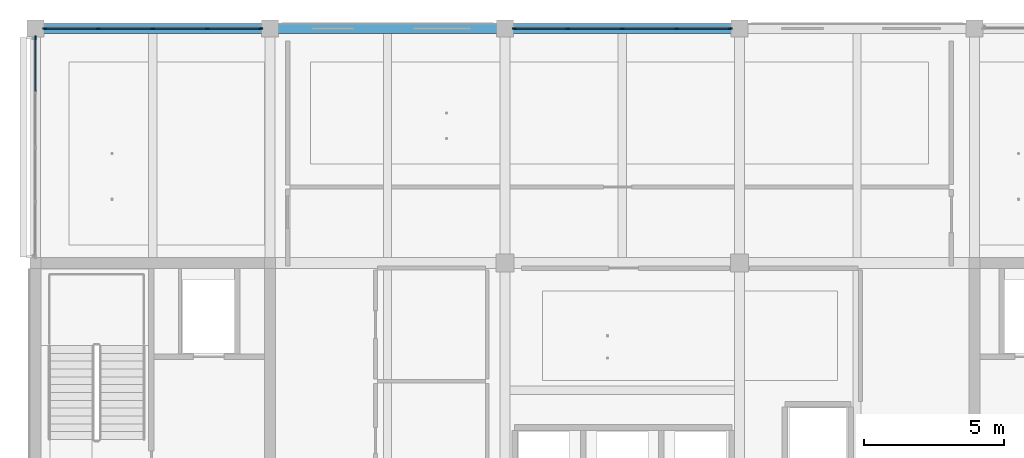
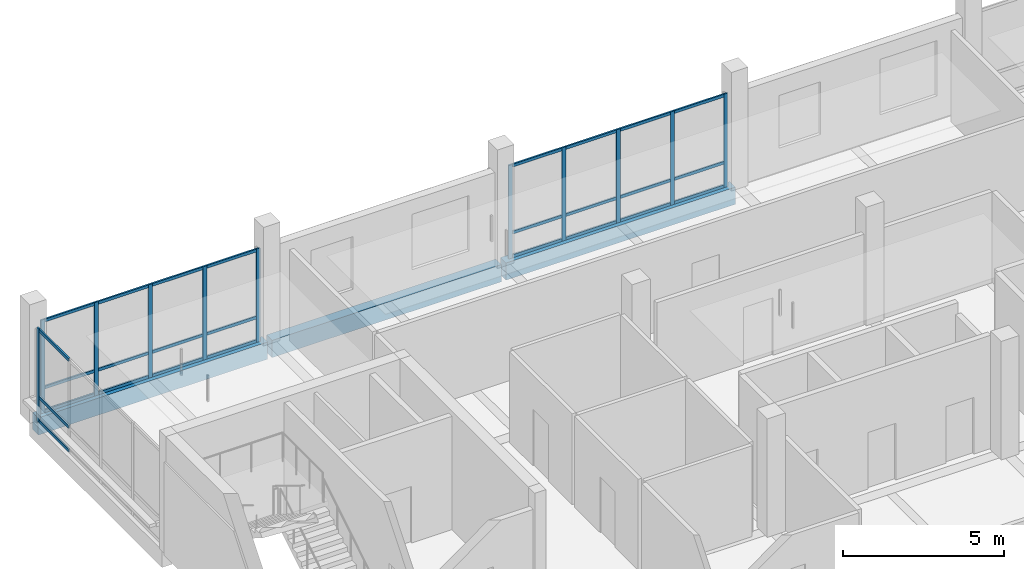
# One storey, part 8 of 29: 38 members, 3 beams, 3 elements without a shape of their own.
"""IFC4 building model written with IfcOpenShell, lengths in metres."""

from ifc_helpers import new_model, si_unit, direction, frame, origin, origin_2d, place, context, subcontext, project, spatial, rectangle, extrude, material, layer, layer_set, material_profile, profile_set, type_object, element, aggregate, save


model = new_model("IFC4")

# Units and contexts
model_context = context("Model", 3, precision=1e-05, world=origin(), true_north=direction((0.0, 1.0)))
body_context = subcontext(model_context, "Body", "Model", "MODEL_VIEW")
ifc_project = project(units=[si_unit("LENGTHUNIT", "METRE"), si_unit("AREAUNIT", "SQUARE_METRE"), si_unit("VOLUMEUNIT", "CUBIC_METRE"), si_unit("PLANEANGLEUNIT", "RADIAN"), si_unit("MASSUNIT", "GRAM", prefix="KILO")], contexts=[model_context])

# Site, building, storey
site_placement = place(None, origin())
site = spatial("IfcSite", under=ifc_project, at=site_placement, CompositionType="ELEMENT")
building_placement = place(site_placement, origin())
building = spatial("IfcBuilding", under=site, at=building_placement, Name="Telukmera Botanical Conservatory", CompositionType="ELEMENT")
storey_placement = place(building_placement, frame((0.0, 0.0, 55.5)))
storey = spatial("IfcBuildingStorey", under=building, at=storey_placement, Name="L12", CompositionType="ELEMENT", Elevation=55.5)

# Beams
ifc_material_1 = material(Name="Precast concrete C40/50", Category="concrete")
ifc_material_profile_1 = material_profile(ifc_material_1, rectangle(XDim=0.35009765625, YDim=0.64990234375, at=origin_2d()), Name="PC 350x650")
ifc_profile_set_1 = profile_set([ifc_material_profile_1], Name="Precast concrete C40/50")
beam_type = type_object("IfcBeamType", Name="Beam_SP3", PredefinedType="SPANDREL", material=ifc_profile_set_1)
beam_placement = place(storey_placement, frame((58.8798828125, 42.800048828125, -0.324951171875), z_axis=(1.0, 0.0, 0.0), x_axis=(0.0, 1.0, 0.0)))
element("IfcBeam", 1, at=beam_placement, inside=storey, type_object=beam_type, Name="Tower Grid Beam L12", PredefinedType="SPANDREL", context=body_context, shape_type="SweptSolid", body=[
    extrude(rectangle(XDim=0.35009765625, YDim=0.64990234375, at=origin_2d()), origin(), (0.0, 0.0, 1.0), 8.240234375),
])
for number, where, z_axis, x_axis, name in (
    (2, (67.280029296875, 42.800048828125, -0.324951171875), (1.0, 0.0, 0.0), (0.0, 1.0, 0.0), "Tower Grid Beam L12"),
    (3, (75.679931640625, 42.800048828125, -0.324951171875), (1.0, 0.0, 0.0), (0.0, 1.0, 0.0), "Tower Grid Beam L12"),
):
    element("IfcBeam", number, at=place(storey_placement, frame(where, z_axis=z_axis, x_axis=x_axis)), inside=storey, type_object=beam_type, Name=name, PredefinedType="SPANDREL", context=body_context, shape_type="SweptSolid", body=[
        extrude(rectangle(XDim=0.35009765625, YDim=0.64990234375, at=origin_2d()), origin(), (0.0, 0.0, 1.0), 8.239990234375),
    ])

# Curtain wall, members
ifc_material_2 = material(Name="Anodised aluminium 6063-T6", Category="aluminium")
ifc_layer = layer(ifc_material_2, 0.179931640625)
ifc_layer_set = layer_set([ifc_layer], Name="Anodised aluminium 6063-T6")
curtain_wall_type = type_object("IfcCurtainWallType", Name="Tower Research Laboratory Unitised Curtain Wall", PredefinedType="USERDEFINED", material=ifc_layer_set)
curtain_wall_1_placement = place(storey_placement, origin())
curtain_wall_1 = element("IfcCurtainWall", 4, at=curtain_wall_1_placement, inside=storey, type_object=curtain_wall_type, Name="Unitised Curtain Wall CW15 V4:L12:N1", ObjectType="UNITISED CURTAIN WALL", PredefinedType="USERDEFINED")
ifc_material_profile_2 = material_profile(ifc_material_2, rectangle(XDim=0.06005859375, YDim=0.139892578125, at=origin_2d()), Name="ALU MULL 60x140")
ifc_profile_set_2 = profile_set([ifc_material_profile_2], Name="Anodised aluminium 6063-T6")
member_type_1 = type_object("IfcMemberType", Name="Curtain Wall Extruded Mullion 60x140", PredefinedType="MULLION", material=ifc_profile_set_2)
member_1_placement = place(storey_placement, frame((59.132080078125, 42.800048828125, 0.0), z_axis=(0.0, 0.0, 1.0), x_axis=(0.0, 1.0, 0.0)))
member_1 = element("IfcMember", 5, at=member_1_placement, type_object=member_type_1, Name="CW15 mullion 1", PredefinedType="MULLION", context=body_context, shape_type="SweptSolid", body=[
    extrude(rectangle(XDim=0.06005859375, YDim=0.139892578125, at=origin_2d()), origin(), (0.0, 0.0, 1.0), 3.550048828125),
])
member_2_placement = place(storey_placement, frame((61.051025390625, 42.800048828125, 0.0), z_axis=(0.0, 0.0, 1.0), x_axis=(0.0, 1.0, 0.0)))
member_2 = element("IfcMember", 6, at=member_2_placement, type_object=member_type_1, Name="CW15 mullion 2", PredefinedType="MULLION", context=body_context, shape_type="SweptSolid", body=[
    extrude(rectangle(XDim=0.06005859375, YDim=0.139892578125, at=origin_2d()), origin(), (0.0, 0.0, 1.0), 3.550048828125),
])
member_3_placement = place(storey_placement, frame((63.0, 42.800048828125, 0.0), z_axis=(0.0, 0.0, 1.0), x_axis=(0.0, 1.0, 0.0)))
member_3 = element("IfcMember", 7, at=member_3_placement, type_object=member_type_1, Name="CW15 mullion 3", PredefinedType="MULLION", context=body_context, shape_type="SweptSolid", body=[
    extrude(rectangle(XDim=0.06005859375, YDim=0.139892578125, at=origin_2d()), origin(), (0.0, 0.0, 1.0), 3.550048828125),
])
member_4_placement = place(storey_placement, frame((64.948974609375, 42.800048828125, 0.0), z_axis=(0.0, 0.0, 1.0), x_axis=(0.0, 1.0, 0.0)))
member_4 = element("IfcMember", 8, at=member_4_placement, type_object=member_type_1, Name="CW15 mullion 4", PredefinedType="MULLION", context=body_context, shape_type="SweptSolid", body=[
    extrude(rectangle(XDim=0.06005859375, YDim=0.139892578125, at=origin_2d()), origin(), (0.0, 0.0, 1.0), 3.550048828125),
])
member_5_placement = place(storey_placement, frame((66.867919921875, 42.800048828125, 0.0), z_axis=(0.0, 0.0, 1.0), x_axis=(0.0, 1.0, 0.0)))
member_5 = element("IfcMember", 9, at=member_5_placement, type_object=member_type_1, Name="CW15 mullion 5", PredefinedType="MULLION", context=body_context, shape_type="SweptSolid", body=[
    extrude(rectangle(XDim=0.06005859375, YDim=0.139892578125, at=origin_2d()), origin(), (0.0, 0.0, 1.0), 3.550048828125),
])

curtain_wall_2_placement = place(storey_placement, origin())
curtain_wall_2 = element("IfcCurtainWall", 10, at=curtain_wall_2_placement, inside=storey, type_object=curtain_wall_type, Name="Unitised Curtain Wall CW15 V4:L12:N3", ObjectType="UNITISED CURTAIN WALL", PredefinedType="USERDEFINED")
member_6_placement = place(storey_placement, frame((75.931884765625, 42.800048828125, 0.0), z_axis=(0.0, 0.0, 1.0), x_axis=(0.0, 1.0, 0.0)))
member_6 = element("IfcMember", 11, at=member_6_placement, type_object=member_type_1, Name="CW15 mullion 1", PredefinedType="MULLION", context=body_context, shape_type="SweptSolid", body=[
    extrude(rectangle(XDim=0.06005859375, YDim=0.139892578125, at=origin_2d()), origin(), (0.0, 0.0, 1.0), 3.550048828125),
])
member_7_placement = place(storey_placement, frame((77.85107421875, 42.800048828125, 0.0), z_axis=(0.0, 0.0, 1.0), x_axis=(0.0, 1.0, 0.0)))
member_7 = element("IfcMember", 12, at=member_7_placement, type_object=member_type_1, Name="CW15 mullion 2", PredefinedType="MULLION", context=body_context, shape_type="SweptSolid", body=[
    extrude(rectangle(XDim=0.06005859375, YDim=0.139892578125, at=origin_2d()), origin(), (0.0, 0.0, 1.0), 3.550048828125),
])
member_8_placement = place(storey_placement, frame((79.800048828125, 42.800048828125, 0.0), z_axis=(0.0, 0.0, 1.0), x_axis=(0.0, 1.0, 0.0)))
member_8 = element("IfcMember", 13, at=member_8_placement, type_object=member_type_1, Name="CW15 mullion 3", PredefinedType="MULLION", context=body_context, shape_type="SweptSolid", body=[
    extrude(rectangle(XDim=0.06005859375, YDim=0.139892578125, at=origin_2d()), origin(), (0.0, 0.0, 1.0), 3.550048828125),
])
member_9_placement = place(storey_placement, frame((81.7490234375, 42.800048828125, 0.0), z_axis=(0.0, 0.0, 1.0), x_axis=(0.0, 1.0, 0.0)))
member_9 = element("IfcMember", 14, at=member_9_placement, type_object=member_type_1, Name="CW15 mullion 4", PredefinedType="MULLION", context=body_context, shape_type="SweptSolid", body=[
    extrude(rectangle(XDim=0.06005859375, YDim=0.139892578125, at=origin_2d()), origin(), (0.0, 0.0, 1.0), 3.550048828125),
])
member_10_placement = place(storey_placement, frame((83.66796875, 42.800048828125, 0.0), z_axis=(0.0, 0.0, 1.0), x_axis=(0.0, 1.0, 0.0)))
member_10 = element("IfcMember", 15, at=member_10_placement, type_object=member_type_1, Name="CW15 mullion 5", PredefinedType="MULLION", context=body_context, shape_type="SweptSolid", body=[
    extrude(rectangle(XDim=0.06005859375, YDim=0.139892578125, at=origin_2d()), origin(), (0.0, 0.0, 1.0), 3.550048828125),
])

# Curtain wall, member
curtain_wall_3_placement = place(storey_placement, origin())
curtain_wall_3 = element("IfcCurtainWall", 16, at=curtain_wall_3_placement, inside=storey, type_object=curtain_wall_type, Name="Unitised Curtain Wall CW15 V4:L12:W4", ObjectType="UNITISED CURTAIN WALL", PredefinedType="USERDEFINED")
member_11_placement = place(storey_placement, frame((58.800048828125, 42.468017578125, 0.0), z_axis=(0.0, 0.0, 1.0), x_axis=(-1.0, 0.0, 0.0)))
member_11 = element("IfcMember", 17, at=member_11_placement, type_object=member_type_1, Name="CW15 mullion 5", PredefinedType="MULLION", context=body_context, shape_type="SweptSolid", body=[
    extrude(rectangle(XDim=0.06005859375, YDim=0.139892578125, at=origin_2d()), origin(), (0.0, 0.0, 1.0), 3.550048828125),
])

# Member
ifc_material_profile_3 = material_profile(ifc_material_2, rectangle(XDim=0.06005859375, YDim=0.110107421875, at=origin_2d()), Name="ALU TRAN 60x110")
ifc_profile_set_3 = profile_set([ifc_material_profile_3], Name="Anodised aluminium 6063-T6")
member_type_2 = type_object("IfcMemberType", Name="Curtain Wall Extruded Transom 60x110", PredefinedType="USERDEFINED", material=ifc_profile_set_3)
member_12_placement = place(storey_placement, frame((59.162109375, 42.800048828125, 0.054931640625), z_axis=(1.0, 0.0, 0.0), x_axis=(0.0, 1.0, 0.0)))
member_12 = element("IfcMember", 18, at=member_12_placement, type_object=member_type_2, Name="CW15 transom 1.1", ObjectType="TRANSOM", PredefinedType="USERDEFINED", context=body_context, shape_type="SweptSolid", body=[
    extrude(rectangle(XDim=0.06005859375, YDim=0.110107421875, at=origin_2d()), origin(), (0.0, 0.0, 1.0), 1.85888671875),
])

member_13_placement = place(storey_placement, frame((59.162109375, 42.800048828125, 0.949951171875), z_axis=(1.0, 0.0, 0.0), x_axis=(0.0, 1.0, 0.0)))
member_13 = element("IfcMember", 19, at=member_13_placement, type_object=member_type_2, Name="CW15 transom 1.2", ObjectType="TRANSOM", PredefinedType="USERDEFINED", context=body_context, shape_type="SweptSolid", body=[
    extrude(rectangle(XDim=0.06005859375, YDim=0.110107421875, at=origin_2d()), origin(), (0.0, 0.0, 1.0), 1.85888671875),
])

member_14_placement = place(storey_placement, frame((59.162109375, 42.800048828125, 3.4951171875), z_axis=(1.0, 0.0, 0.0), x_axis=(0.0, 1.0, 0.0)))
member_14 = element("IfcMember", 20, at=member_14_placement, type_object=member_type_2, Name="CW15 transom 1.3", ObjectType="TRANSOM", PredefinedType="USERDEFINED", context=body_context, shape_type="SweptSolid", body=[
    extrude(rectangle(XDim=0.06005859375, YDim=0.110107421875, at=origin_2d()), origin(), (0.0, 0.0, 1.0), 1.85888671875),
])

member_15_placement = place(storey_placement, frame((61.0810546875, 42.800048828125, 0.054931640625), z_axis=(1.0, 0.0, 0.0), x_axis=(0.0, 1.0, 0.0)))
member_15 = element("IfcMember", 21, at=member_15_placement, type_object=member_type_2, Name="CW15 transom 2.1", ObjectType="TRANSOM", PredefinedType="USERDEFINED", context=body_context, shape_type="SweptSolid", body=[
    extrude(rectangle(XDim=0.06005859375, YDim=0.110107421875, at=origin_2d()), origin(), (0.0, 0.0, 1.0), 1.888916015625),
])

member_16_placement = place(storey_placement, frame((61.0810546875, 42.800048828125, 0.949951171875), z_axis=(1.0, 0.0, 0.0), x_axis=(0.0, 1.0, 0.0)))
member_16 = element("IfcMember", 22, at=member_16_placement, type_object=member_type_2, Name="CW15 transom 2.2", ObjectType="TRANSOM", PredefinedType="USERDEFINED", context=body_context, shape_type="SweptSolid", body=[
    extrude(rectangle(XDim=0.06005859375, YDim=0.110107421875, at=origin_2d()), origin(), (0.0, 0.0, 1.0), 1.888916015625),
])

member_17_placement = place(storey_placement, frame((61.0810546875, 42.800048828125, 3.4951171875), z_axis=(1.0, 0.0, 0.0), x_axis=(0.0, 1.0, 0.0)))
member_17 = element("IfcMember", 23, at=member_17_placement, type_object=member_type_2, Name="CW15 transom 2.3", ObjectType="TRANSOM", PredefinedType="USERDEFINED", context=body_context, shape_type="SweptSolid", body=[
    extrude(rectangle(XDim=0.06005859375, YDim=0.110107421875, at=origin_2d()), origin(), (0.0, 0.0, 1.0), 1.888916015625),
])

member_18_placement = place(storey_placement, frame((63.030029296875, 42.800048828125, 0.054931640625), z_axis=(1.0, 0.0, 0.0), x_axis=(0.0, 1.0, 0.0)))
member_18 = element("IfcMember", 24, at=member_18_placement, type_object=member_type_2, Name="CW15 transom 3.1", ObjectType="TRANSOM", PredefinedType="USERDEFINED", context=body_context, shape_type="SweptSolid", body=[
    extrude(rectangle(XDim=0.06005859375, YDim=0.110107421875, at=origin_2d()), origin(), (0.0, 0.0, 1.0), 1.888916015625),
])

member_19_placement = place(storey_placement, frame((63.030029296875, 42.800048828125, 0.949951171875), z_axis=(1.0, 0.0, 0.0), x_axis=(0.0, 1.0, 0.0)))
member_19 = element("IfcMember", 25, at=member_19_placement, type_object=member_type_2, Name="CW15 transom 3.2", ObjectType="TRANSOM", PredefinedType="USERDEFINED", context=body_context, shape_type="SweptSolid", body=[
    extrude(rectangle(XDim=0.06005859375, YDim=0.110107421875, at=origin_2d()), origin(), (0.0, 0.0, 1.0), 1.888916015625),
])

member_20_placement = place(storey_placement, frame((63.030029296875, 42.800048828125, 3.4951171875), z_axis=(1.0, 0.0, 0.0), x_axis=(0.0, 1.0, 0.0)))
member_20 = element("IfcMember", 26, at=member_20_placement, type_object=member_type_2, Name="CW15 transom 3.3", ObjectType="TRANSOM", PredefinedType="USERDEFINED", context=body_context, shape_type="SweptSolid", body=[
    extrude(rectangle(XDim=0.06005859375, YDim=0.110107421875, at=origin_2d()), origin(), (0.0, 0.0, 1.0), 1.888916015625),
])

member_21_placement = place(storey_placement, frame((64.97900390625, 42.800048828125, 0.054931640625), z_axis=(1.0, 0.0, 0.0), x_axis=(0.0, 1.0, 0.0)))
member_21 = element("IfcMember", 27, at=member_21_placement, type_object=member_type_2, Name="CW15 transom 4.1", ObjectType="TRANSOM", PredefinedType="USERDEFINED", context=body_context, shape_type="SweptSolid", body=[
    extrude(rectangle(XDim=0.06005859375, YDim=0.110107421875, at=origin_2d()), origin(), (0.0, 0.0, 1.0), 1.85888671875),
])

member_22_placement = place(storey_placement, frame((64.97900390625, 42.800048828125, 0.949951171875), z_axis=(1.0, 0.0, 0.0), x_axis=(0.0, 1.0, 0.0)))
member_22 = element("IfcMember", 28, at=member_22_placement, type_object=member_type_2, Name="CW15 transom 4.2", ObjectType="TRANSOM", PredefinedType="USERDEFINED", context=body_context, shape_type="SweptSolid", body=[
    extrude(rectangle(XDim=0.06005859375, YDim=0.110107421875, at=origin_2d()), origin(), (0.0, 0.0, 1.0), 1.85888671875),
])

member_23_placement = place(storey_placement, frame((64.97900390625, 42.800048828125, 3.4951171875), z_axis=(1.0, 0.0, 0.0), x_axis=(0.0, 1.0, 0.0)))
member_23 = element("IfcMember", 29, at=member_23_placement, type_object=member_type_2, Name="CW15 transom 4.3", ObjectType="TRANSOM", PredefinedType="USERDEFINED", context=body_context, shape_type="SweptSolid", body=[
    extrude(rectangle(XDim=0.06005859375, YDim=0.110107421875, at=origin_2d()), origin(), (0.0, 0.0, 1.0), 1.85888671875),
])

aggregate(curtain_wall_1, [member_1, member_2, member_3, member_4, member_5, member_12, member_13, member_14, member_15, member_16, member_17, member_18, member_19, member_20, member_21, member_22, member_23])

member_24_placement = place(storey_placement, frame((75.9619140625, 42.800048828125, 0.054931640625), z_axis=(1.0, 0.0, 0.0), x_axis=(0.0, 1.0, 0.0)))
member_24 = element("IfcMember", 30, at=member_24_placement, type_object=member_type_2, Name="CW15 transom 1.1", ObjectType="TRANSOM", PredefinedType="USERDEFINED", context=body_context, shape_type="SweptSolid", body=[
    extrude(rectangle(XDim=0.06005859375, YDim=0.110107421875, at=origin_2d()), origin(), (0.0, 0.0, 1.0), 1.859130859375),
])

member_25_placement = place(storey_placement, frame((75.9619140625, 42.800048828125, 0.949951171875), z_axis=(1.0, 0.0, 0.0), x_axis=(0.0, 1.0, 0.0)))
member_25 = element("IfcMember", 31, at=member_25_placement, type_object=member_type_2, Name="CW15 transom 1.2", ObjectType="TRANSOM", PredefinedType="USERDEFINED", context=body_context, shape_type="SweptSolid", body=[
    extrude(rectangle(XDim=0.06005859375, YDim=0.110107421875, at=origin_2d()), origin(), (0.0, 0.0, 1.0), 1.859130859375),
])

member_26_placement = place(storey_placement, frame((75.9619140625, 42.800048828125, 3.4951171875), z_axis=(1.0, 0.0, 0.0), x_axis=(0.0, 1.0, 0.0)))
member_26 = element("IfcMember", 32, at=member_26_placement, type_object=member_type_2, Name="CW15 transom 1.3", ObjectType="TRANSOM", PredefinedType="USERDEFINED", context=body_context, shape_type="SweptSolid", body=[
    extrude(rectangle(XDim=0.06005859375, YDim=0.110107421875, at=origin_2d()), origin(), (0.0, 0.0, 1.0), 1.859130859375),
])

member_27_placement = place(storey_placement, frame((77.881103515625, 42.800048828125, 0.054931640625), z_axis=(1.0, 0.0, 0.0), x_axis=(0.0, 1.0, 0.0)))
member_27 = element("IfcMember", 33, at=member_27_placement, type_object=member_type_2, Name="CW15 transom 2.1", ObjectType="TRANSOM", PredefinedType="USERDEFINED", context=body_context, shape_type="SweptSolid", body=[
    extrude(rectangle(XDim=0.06005859375, YDim=0.110107421875, at=origin_2d()), origin(), (0.0, 0.0, 1.0), 1.888916015625),
])

member_28_placement = place(storey_placement, frame((77.881103515625, 42.800048828125, 0.949951171875), z_axis=(1.0, 0.0, 0.0), x_axis=(0.0, 1.0, 0.0)))
member_28 = element("IfcMember", 34, at=member_28_placement, type_object=member_type_2, Name="CW15 transom 2.2", ObjectType="TRANSOM", PredefinedType="USERDEFINED", context=body_context, shape_type="SweptSolid", body=[
    extrude(rectangle(XDim=0.06005859375, YDim=0.110107421875, at=origin_2d()), origin(), (0.0, 0.0, 1.0), 1.888916015625),
])

member_29_placement = place(storey_placement, frame((77.881103515625, 42.800048828125, 3.4951171875), z_axis=(1.0, 0.0, 0.0), x_axis=(0.0, 1.0, 0.0)))
member_29 = element("IfcMember", 35, at=member_29_placement, type_object=member_type_2, Name="CW15 transom 2.3", ObjectType="TRANSOM", PredefinedType="USERDEFINED", context=body_context, shape_type="SweptSolid", body=[
    extrude(rectangle(XDim=0.06005859375, YDim=0.110107421875, at=origin_2d()), origin(), (0.0, 0.0, 1.0), 1.888916015625),
])

member_30_placement = place(storey_placement, frame((79.830078125, 42.800048828125, 0.054931640625), z_axis=(1.0, 0.0, 0.0), x_axis=(0.0, 1.0, 0.0)))
member_30 = element("IfcMember", 36, at=member_30_placement, type_object=member_type_2, Name="CW15 transom 3.1", ObjectType="TRANSOM", PredefinedType="USERDEFINED", context=body_context, shape_type="SweptSolid", body=[
    extrude(rectangle(XDim=0.06005859375, YDim=0.110107421875, at=origin_2d()), origin(), (0.0, 0.0, 1.0), 1.888916015625),
])

member_31_placement = place(storey_placement, frame((79.830078125, 42.800048828125, 0.949951171875), z_axis=(1.0, 0.0, 0.0), x_axis=(0.0, 1.0, 0.0)))
member_31 = element("IfcMember", 37, at=member_31_placement, type_object=member_type_2, Name="CW15 transom 3.2", ObjectType="TRANSOM", PredefinedType="USERDEFINED", context=body_context, shape_type="SweptSolid", body=[
    extrude(rectangle(XDim=0.06005859375, YDim=0.110107421875, at=origin_2d()), origin(), (0.0, 0.0, 1.0), 1.888916015625),
])

member_32_placement = place(storey_placement, frame((79.830078125, 42.800048828125, 3.4951171875), z_axis=(1.0, 0.0, 0.0), x_axis=(0.0, 1.0, 0.0)))
member_32 = element("IfcMember", 38, at=member_32_placement, type_object=member_type_2, Name="CW15 transom 3.3", ObjectType="TRANSOM", PredefinedType="USERDEFINED", context=body_context, shape_type="SweptSolid", body=[
    extrude(rectangle(XDim=0.06005859375, YDim=0.110107421875, at=origin_2d()), origin(), (0.0, 0.0, 1.0), 1.888916015625),
])

member_33_placement = place(storey_placement, frame((81.779052734375, 42.800048828125, 0.054931640625), z_axis=(1.0, 0.0, 0.0), x_axis=(0.0, 1.0, 0.0)))
member_33 = element("IfcMember", 39, at=member_33_placement, type_object=member_type_2, Name="CW15 transom 4.1", ObjectType="TRANSOM", PredefinedType="USERDEFINED", context=body_context, shape_type="SweptSolid", body=[
    extrude(rectangle(XDim=0.06005859375, YDim=0.110107421875, at=origin_2d()), origin(), (0.0, 0.0, 1.0), 1.85888671875),
])

member_34_placement = place(storey_placement, frame((81.779052734375, 42.800048828125, 0.949951171875), z_axis=(1.0, 0.0, 0.0), x_axis=(0.0, 1.0, 0.0)))
member_34 = element("IfcMember", 40, at=member_34_placement, type_object=member_type_2, Name="CW15 transom 4.2", ObjectType="TRANSOM", PredefinedType="USERDEFINED", context=body_context, shape_type="SweptSolid", body=[
    extrude(rectangle(XDim=0.06005859375, YDim=0.110107421875, at=origin_2d()), origin(), (0.0, 0.0, 1.0), 1.85888671875),
])

member_35_placement = place(storey_placement, frame((81.779052734375, 42.800048828125, 3.4951171875), z_axis=(1.0, 0.0, 0.0), x_axis=(0.0, 1.0, 0.0)))
member_35 = element("IfcMember", 41, at=member_35_placement, type_object=member_type_2, Name="CW15 transom 4.3", ObjectType="TRANSOM", PredefinedType="USERDEFINED", context=body_context, shape_type="SweptSolid", body=[
    extrude(rectangle(XDim=0.06005859375, YDim=0.110107421875, at=origin_2d()), origin(), (0.0, 0.0, 1.0), 1.85888671875),
])

aggregate(curtain_wall_2, [member_6, member_7, member_8, member_9, member_10, member_24, member_25, member_26, member_27, member_28, member_29, member_30, member_31, member_32, member_33, member_34, member_35])

member_36_placement = place(storey_placement, frame((58.800048828125, 40.553955078125, 0.054931640625), z_axis=(0.0, 1.0, 0.0), x_axis=(-1.0, 0.0, 0.0)))
member_36 = element("IfcMember", 42, at=member_36_placement, type_object=member_type_2, Name="CW15 transom 4.1", ObjectType="TRANSOM", PredefinedType="USERDEFINED", context=body_context, shape_type="SweptSolid", body=[
    extrude(rectangle(XDim=0.06005859375, YDim=0.110107421875, at=origin_2d()), origin(), (0.0, 0.0, 1.0), 1.884033203125),
])

member_37_placement = place(storey_placement, frame((58.800048828125, 40.553955078125, 0.949951171875), z_axis=(0.0, 1.0, 0.0), x_axis=(-1.0, 0.0, 0.0)))
member_37 = element("IfcMember", 43, at=member_37_placement, type_object=member_type_2, Name="CW15 transom 4.2", ObjectType="TRANSOM", PredefinedType="USERDEFINED", context=body_context, shape_type="SweptSolid", body=[
    extrude(rectangle(XDim=0.06005859375, YDim=0.110107421875, at=origin_2d()), origin(), (0.0, 0.0, 1.0), 1.884033203125),
])

member_38_placement = place(storey_placement, frame((58.800048828125, 40.553955078125, 3.4951171875), z_axis=(0.0, 1.0, 0.0), x_axis=(-1.0, 0.0, 0.0)))
member_38 = element("IfcMember", 44, at=member_38_placement, type_object=member_type_2, Name="CW15 transom 4.3", ObjectType="TRANSOM", PredefinedType="USERDEFINED", context=body_context, shape_type="SweptSolid", body=[
    extrude(rectangle(XDim=0.06005859375, YDim=0.110107421875, at=origin_2d()), origin(), (0.0, 0.0, 1.0), 1.884033203125),
])

aggregate(curtain_wall_3, [member_11, member_36, member_37, member_38])

save(model, "model.ifc")
